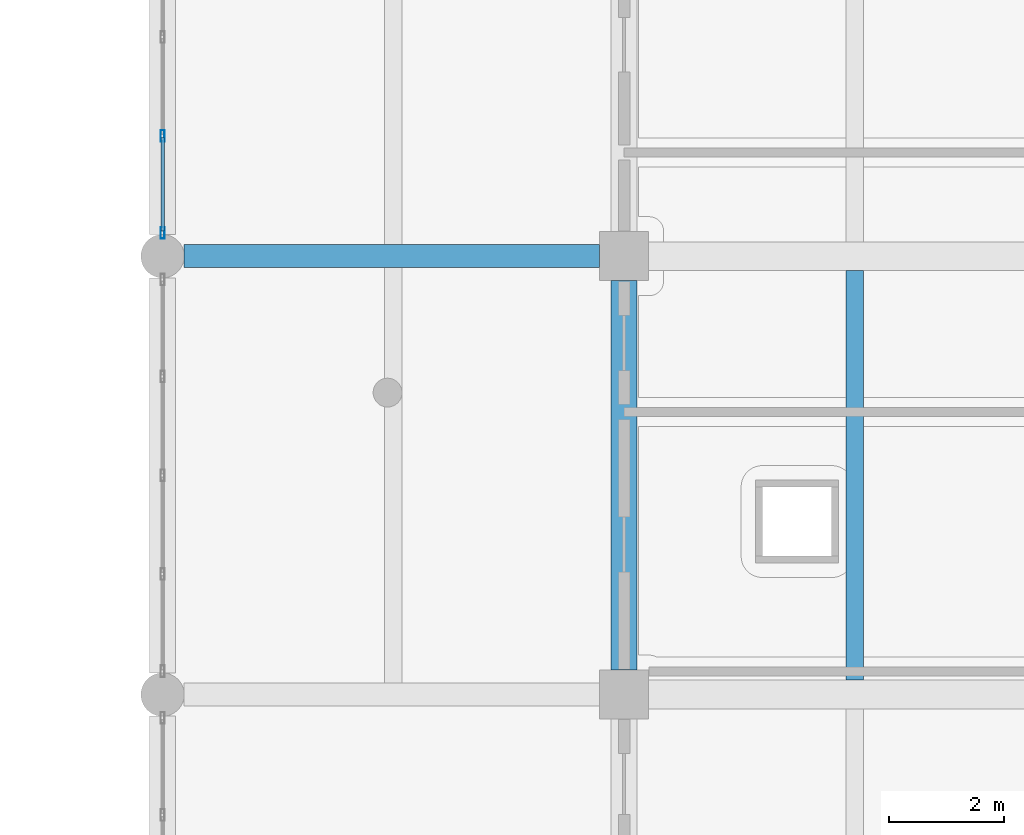
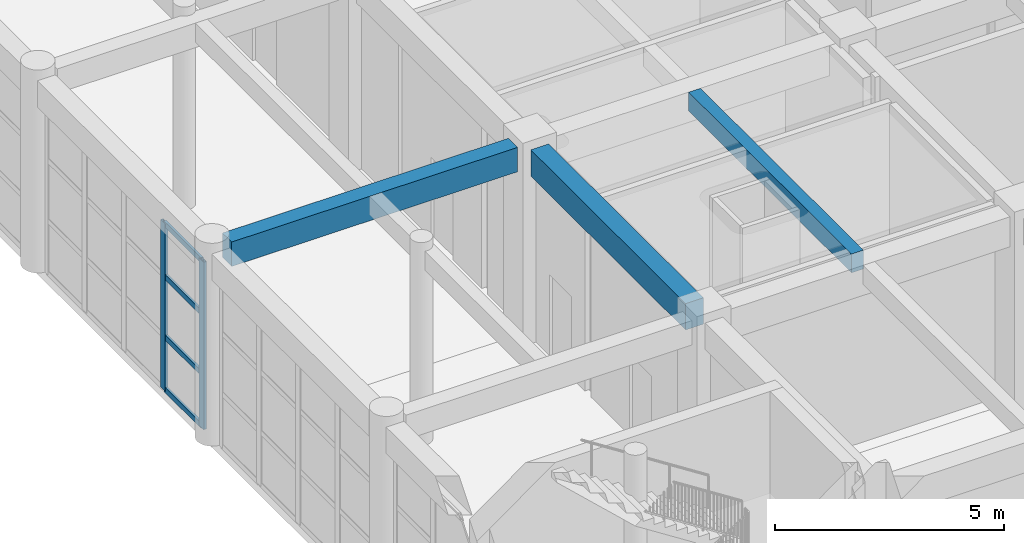
# One storey, part 25 of 95: 6 members, 3 beams, 1 element without a shape of its own.
"""IFC4 building model written with IfcOpenShell, lengths in metres."""

from ifc_helpers import new_model, si_unit, direction, frame, origin, origin_2d, place, context, subcontext, project, spatial, rectangle, hollow_rectangle, extrude, material, material_profile, profile_set, type_object, element, aggregate, save


model = new_model("IFC4")

# Units and contexts
model_context = context("Model", 3, precision=1e-05, world=origin(), true_north=direction((0.0, 1.0)))
body_context = subcontext(model_context, "Body", "Model", "MODEL_VIEW")
ifc_project = project(units=[si_unit("LENGTHUNIT", "METRE"), si_unit("AREAUNIT", "SQUARE_METRE"), si_unit("VOLUMEUNIT", "CUBIC_METRE"), si_unit("PLANEANGLEUNIT", "RADIAN"), si_unit("MASSUNIT", "GRAM", prefix="KILO")], contexts=[model_context])

# Site, building, storey
site_placement = place(None, origin())
site = spatial("IfcSite", under=ifc_project, at=site_placement, CompositionType="ELEMENT")
building_placement = place(site_placement, origin())
building = spatial("IfcBuilding", under=site, at=building_placement, Name="Zantavel Square City Hall", CompositionType="ELEMENT")
storey_placement = place(building_placement, origin())
storey = spatial("IfcBuildingStorey", under=building, at=storey_placement, Name="L01", CompositionType="ELEMENT", Elevation=0.0)

# Curtain wall, members
ifc_material_1 = material(Name="Anodised aluminium 6063-T6", Category="aluminium")
curtain_wall_type = type_object("IfcCurtainWallType", Name="Curtain Wall CRT 6850x4460", PredefinedType="USERDEFINED", material=ifc_material_1)
curtain_wall_placement = place(storey_placement, origin())
curtain_wall = element("IfcCurtainWall", 1, at=curtain_wall_placement, inside=storey, type_object=curtain_wall_type, Name="L01 Glazed Curtain Wall CW-L01-016", ObjectType="GLAZED CURTAIN WALL", PredefinedType="USERDEFINED")
ifc_material_profile_1 = material_profile(ifc_material_1, hollow_rectangle(XDim=0.070068359375, YDim=0.199951171875, WallThickness=0.00439453125, at=origin_2d()), Name="ALU 70x200x4.5")
ifc_profile_set_1 = profile_set([ifc_material_profile_1], Name="Anodised aluminium 6063-T6")
member_type_1 = type_object("IfcMemberType", Name="CW Heavy Hall Mullion ALU 70x200x4.5", PredefinedType="MULLION", material=ifc_profile_set_1)
member_1_placement = place(storey_placement, frame((48.0, 53.60498046875, 0.0), z_axis=(0.0, 0.0, 1.0), x_axis=(-1.0, 0.0, 0.0)))
member_1 = element("IfcMember", 2, at=member_1_placement, type_object=member_type_1, Name="CW-016 mullion 1", PredefinedType="MULLION", context=body_context, shape_type="SweptSolid", body=[
    extrude(hollow_rectangle(XDim=0.070068359375, YDim=0.199951171875, WallThickness=0.00439453125, at=origin_2d()), origin(), (0.0, 0.0, 1.0), 4.4599609375),
])
member_2_placement = place(storey_placement, frame((48.0, 55.28759765625, 0.0), z_axis=(0.0, 0.0, 1.0), x_axis=(-1.0, 0.0, 0.0)))
member_2 = element("IfcMember", 3, at=member_2_placement, type_object=member_type_1, Name="CW-016 mullion 2", PredefinedType="MULLION", context=body_context, shape_type="SweptSolid", body=[
    extrude(hollow_rectangle(XDim=0.070068359375, YDim=0.199951171875, WallThickness=0.00439453125, at=origin_2d()), origin(), (0.0, 0.0, 1.0), 4.4599609375),
])
ifc_material_profile_2 = material_profile(ifc_material_1, hollow_rectangle(XDim=0.06005859375, YDim=0.139892578125, WallThickness=0.00390625, at=origin_2d()), Name="ALU 60x140x4")
ifc_profile_set_2 = profile_set([ifc_material_profile_2], Name="Anodised aluminium 6063-T6")
member_type_2 = type_object("IfcMemberType", Name="CW Transom ALU 60x140x4", PredefinedType="USERDEFINED", material=ifc_profile_set_2)
member_3_placement = place(storey_placement, frame((48.0, 53.635009765625, 0.030029296875), z_axis=(0.0, 1.0, 0.0), x_axis=(-1.0, 0.0, 0.0)))
member_3 = element("IfcMember", 4, at=member_3_placement, type_object=member_type_2, Name="CW-016 transom 1.1", ObjectType="TRANSOM", PredefinedType="USERDEFINED", context=body_context, shape_type="SweptSolid", body=[
    extrude(hollow_rectangle(XDim=0.06005859375, YDim=0.139892578125, WallThickness=0.00390625, at=origin_2d()), origin(), (0.0, 0.0, 1.0), 1.62255859375),
])
member_4_placement = place(storey_placement, frame((48.0, 53.635009765625, 1.427001953125), z_axis=(0.0, 1.0, 0.0), x_axis=(-1.0, 0.0, 0.0)))
member_4 = element("IfcMember", 5, at=member_4_placement, type_object=member_type_2, Name="CW-016 transom 1.2", ObjectType="TRANSOM", PredefinedType="USERDEFINED", context=body_context, shape_type="SweptSolid", body=[
    extrude(hollow_rectangle(XDim=0.06005859375, YDim=0.139892578125, WallThickness=0.00390625, at=origin_2d()), origin(), (0.0, 0.0, 1.0), 1.62255859375),
])
member_5_placement = place(storey_placement, frame((48.0, 53.635009765625, 3.032958984375), z_axis=(0.0, 1.0, 0.0), x_axis=(-1.0, 0.0, 0.0)))
member_5 = element("IfcMember", 6, at=member_5_placement, type_object=member_type_2, Name="CW-016 transom 1.3", ObjectType="TRANSOM", PredefinedType="USERDEFINED", context=body_context, shape_type="SweptSolid", body=[
    extrude(hollow_rectangle(XDim=0.06005859375, YDim=0.139892578125, WallThickness=0.00390625, at=origin_2d()), origin(), (0.0, 0.0, 1.0), 1.62255859375),
])
member_6_placement = place(storey_placement, frame((48.0, 53.635009765625, 4.429931640625), z_axis=(0.0, 1.0, 0.0), x_axis=(-1.0, 0.0, 0.0)))
member_6 = element("IfcMember", 7, at=member_6_placement, type_object=member_type_2, Name="CW-016 transom 1.4", ObjectType="TRANSOM", PredefinedType="USERDEFINED", context=body_context, shape_type="SweptSolid", body=[
    extrude(hollow_rectangle(XDim=0.06005859375, YDim=0.139892578125, WallThickness=0.00390625, at=origin_2d()), origin(), (0.0, 0.0, 1.0), 1.62255859375),
])
aggregate(curtain_wall, [member_1, member_2, member_3, member_4, member_5, member_6])

# Beams
ifc_material_2 = material(Name="Concrete C35/45", Category="concrete")
ifc_material_profile_3 = material_profile(ifc_material_2, rectangle(XDim=0.300048828125, YDim=0.5, at=origin_2d()), Name="RC 300x500")
ifc_profile_set_3 = profile_set([ifc_material_profile_3], Name="Concrete C35/45")
beam_type_1 = type_object("IfcBeamType", Name="Floor Joist RC 300x500 C35/45", PredefinedType="JOIST", material=ifc_profile_set_3)
beam_1_placement = place(storey_placement, frame((60.0, 45.85009765625, 4.909912109375), z_axis=(0.0, 1.0, 0.0), x_axis=(-1.0, 0.0, 0.0)))
element("IfcBeam", 8, at=beam_1_placement, inside=storey, type_object=beam_type_1, Name="L01 Floor Joist JST-L01-0600-0456", PredefinedType="JOIST", context=body_context, shape_type="SweptSolid", body=[
    extrude(rectangle(XDim=0.300048828125, YDim=0.5, at=origin_2d()), origin(), (0.0, 0.0, 1.0), 7.099853515625),
])
ifc_material_profile_4 = material_profile(ifc_material_2, rectangle(XDim=0.39990234375, YDim=0.64990234375, at=origin_2d()), Name="RC 400x650")
ifc_profile_set_4 = profile_set([ifc_material_profile_4], Name="Concrete C35/45")
beam_type_2 = type_object("IfcBeamType", Name="Frame Beam RC 400x650 C35/45", PredefinedType="BEAM", material=ifc_profile_set_4)
beam_2_placement = place(storey_placement, frame((48.375, 53.199951171875, 4.8349609375), z_axis=(1.0, 0.0, 0.0), x_axis=(0.0, 1.0, 0.0)))
element("IfcBeam", 9, at=beam_2_placement, inside=storey, type_object=beam_type_2, Name="L01 Girder BMX-L01-0480-0532", PredefinedType="BEAM", context=body_context, shape_type="SweptSolid", body=[
    extrude(rectangle(XDim=0.39990234375, YDim=0.64990234375, at=origin_2d()), origin(), (0.0, 0.0, 1.0), 7.199951171875),
])
ifc_material_profile_5 = material_profile(ifc_material_2, rectangle(XDim=0.449951171875, YDim=0.699951171875, at=origin_2d()), Name="RC 450x700")
ifc_profile_set_5 = profile_set([ifc_material_profile_5], Name="Concrete C35/45")
beam_type_3 = type_object("IfcBeamType", Name="Primary Girder RC 450x700 C35/45", PredefinedType="BEAM", material=ifc_profile_set_5)
beam_3_placement = place(storey_placement, frame((56.0, 46.02490234375, 4.81005859375), z_axis=(0.0, 1.0, 0.0), x_axis=(-1.0, 0.0, 0.0)))
element("IfcBeam", 10, at=beam_3_placement, inside=storey, type_object=beam_type_3, Name="L01 Beam BMY-L01-0560-0456", PredefinedType="BEAM", context=body_context, shape_type="SweptSolid", body=[
    extrude(rectangle(XDim=0.449951171875, YDim=0.699951171875, at=origin_2d()), origin(), (0.0, 0.0, 1.0), 6.75),
])

save(model, "model.ifc")
